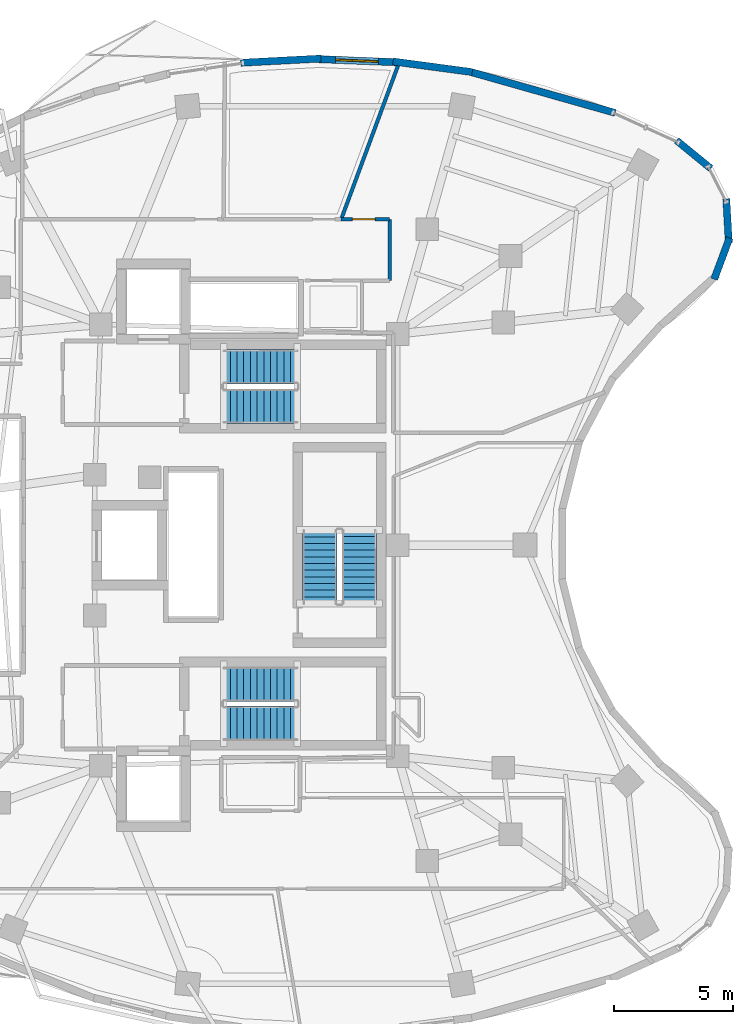
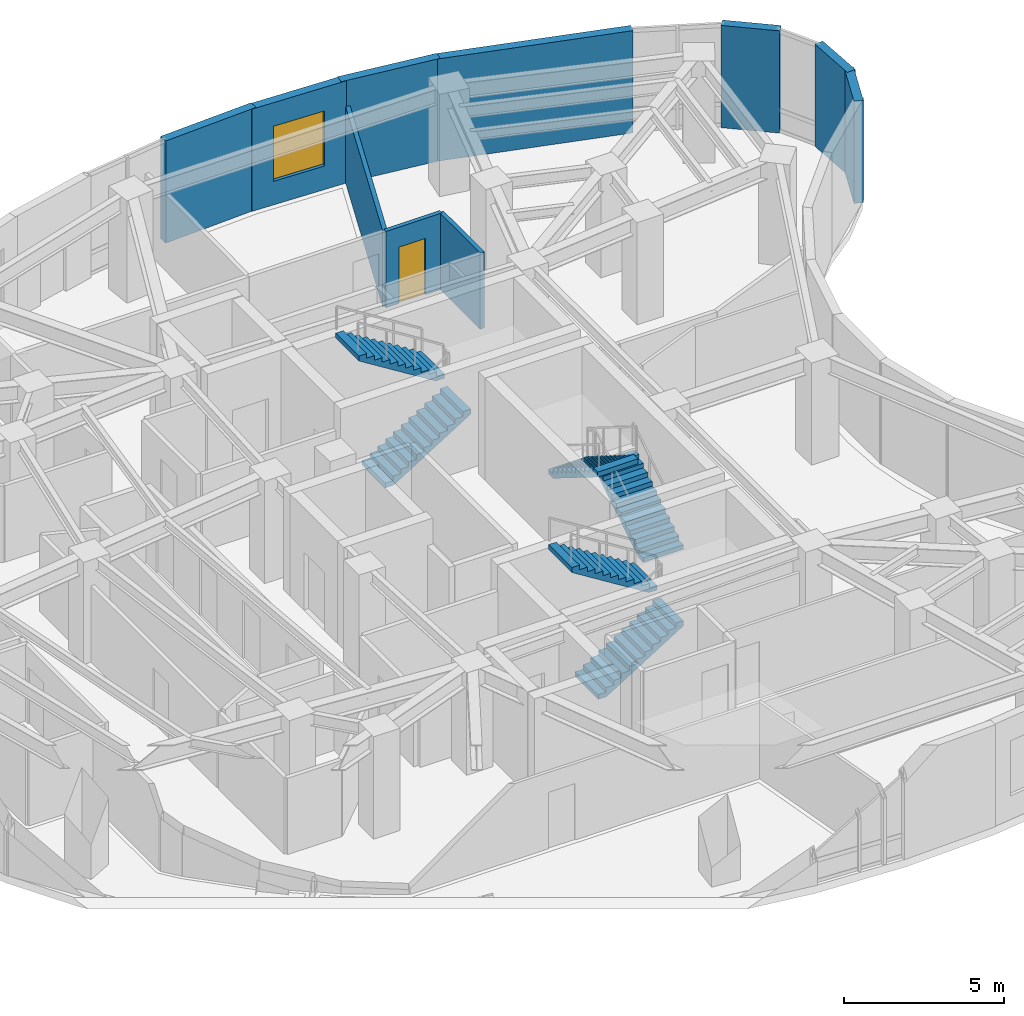
# One storey, part 10 of 13: 10 walls, 6 stair flights, 1 door, 1 window, 2 openings, 3 elements without a shape of their own.
"""IFC4 building model written with IfcOpenShell, lengths in metres."""

import ifcopenshell
import ifcopenshell.guid

model = None  # the IFC model being written
_history = None  # IfcOwnerHistory: only IFC2X3 demands one
_inside = {}  # id of a spatial element -> (the spatial element, [elements in it])
_under = {}  # id of a project, library or spatial element -> (it, [spatial elements below it])
_declared = {}  # id of a project -> (the project, [libraries it declares])
_typed = {}  # id of a type object -> (the type object, [elements of that type])
_made_of = {}  # id of a material, layer set ... -> (it, [elements and type objects made of it])


def new_model(schema):
    """Start an empty IFC model of exactly this schema.

    Asked for "IFC4X3", IfcOpenShell would pick the latest addendum, in which some entities
    have other attributes; the version numbers below select the first issue.
    IFC2X3 requires an IfcOwnerHistory on every rooted entity: one is made here for all.
    """
    global model, _history
    if schema == "IFC4X3":
        model = ifcopenshell.file(schema_version=(4, 3, 0, 0))
    else:
        model = ifcopenshell.file(schema=schema)
    _inside.clear()
    _under.clear()
    _declared.clear()
    _typed.clear()
    _made_of.clear()
    _history = None
    if model.schema == "IFC2X3":
        org = make("IfcOrganization", Name="unknown")
        user = make(
            "IfcPersonAndOrganization",
            ThePerson=make("IfcPerson", FamilyName="unknown"),
            TheOrganization=org,
        )
        app = make(
            "IfcApplication",
            ApplicationDeveloper=org,
            Version="unknown",
            ApplicationFullName="unknown",
            ApplicationIdentifier="unknown",
        )
        _history = make(
            "IfcOwnerHistory",
            OwningUser=user,
            OwningApplication=app,
            ChangeAction="ADDED",
            CreationDate=0,
        )
    return model


def make(cls, **values):
    """One entity of the class cls with the attributes given. An attribute that is None is left unset."""
    return model.create_entity(
        cls, **{name: value for name, value in values.items() if value is not None}
    )


def rooted(cls, **values):
    """An entity with a GlobalId (a new one), such as an element, a storey or a relation."""
    return make(cls, GlobalId=ifcopenshell.guid.new(), OwnerHistory=_history, **values)


def si_unit(unit_type, name, prefix=None):
    """IfcSIUnit, for example si_unit("LENGTHUNIT", "METRE", prefix="MILLI")."""
    return make("IfcSIUnit", UnitType=unit_type, Prefix=prefix, Name=name)


def assignment(units):
    """IfcUnitAssignment: the units of a project."""
    return None if units is None else make("IfcUnitAssignment", Units=units)


def point(xyz):
    """IfcCartesianPoint."""
    return None if xyz is None else make("IfcCartesianPoint", Coordinates=xyz)


def direction(xyz):
    """IfcDirection."""
    return None if xyz is None else make("IfcDirection", DirectionRatios=xyz)


def frame(location, z_axis=None, x_axis=None):
    """IfcAxis2Placement3D, a coordinate frame: its origin and axes. An axis left out is left unset."""
    return make(
        "IfcAxis2Placement3D",
        Location=point(location),
        Axis=direction(z_axis),
        RefDirection=direction(x_axis),
    )


def frame_2d(location, x_axis=None):
    """IfcAxis2Placement2D, a coordinate frame in the plane: its origin and x axis."""
    return make(
        "IfcAxis2Placement2D", Location=point(location), RefDirection=direction(x_axis)
    )


def origin():
    """The frame at (0, 0, 0) with its axes left unset."""
    return frame((0.0, 0.0, 0.0))


def place(relative_to, where):
    """IfcLocalPlacement: puts the frame where relative to a parent placement (None: the world)."""
    return make(
        "IfcLocalPlacement", PlacementRelTo=relative_to, RelativePlacement=where
    )


def context(
    kind, dimensions, precision=None, world=None, true_north=None, identifier=None
):
    """IfcGeometricRepresentationContext, for example the 3D "Model" context."""
    return make(
        "IfcGeometricRepresentationContext",
        ContextIdentifier=identifier,
        ContextType=kind,
        CoordinateSpaceDimension=dimensions,
        Precision=precision,
        WorldCoordinateSystem=world,
        TrueNorth=true_north,
    )


def subcontext(parent, identifier, kind, view, scale=None):
    """IfcGeometricRepresentationSubContext, for example "Body" below "Model"."""
    return make(
        "IfcGeometricRepresentationSubContext",
        ContextIdentifier=identifier,
        ContextType=kind,
        ParentContext=parent,
        TargetScale=scale,
        TargetView=view,
    )


def project(units=None, contexts=None):
    """IfcProject with its units and contexts."""
    return rooted(
        "IfcProject",
        Name="project",
        RepresentationContexts=contexts,
        UnitsInContext=assignment(units),
    )


def spatial(cls, under=None, at=None, **own):
    """A site, building, storey or space (cls), placed at a placement, below another one or the project."""
    s = rooted(cls, ObjectPlacement=at, **own)
    if under is not None:
        _under.setdefault(under.id(), (under, []))[1].append(s)
    return s


def polyline(points):
    """IfcPolyline through the points."""
    return make("IfcPolyline", Points=[point(p) for p in points])


def profile(cls, at=None, kind="AREA", **sizes):
    """A parametric profile (cls). Its sizes go by their IFC names, for example OverallWidth=200.0."""
    return make(cls, ProfileType=kind, Position=at, **sizes)


def rectangle(**sizes):
    """IfcRectangleProfileDef."""
    return profile("IfcRectangleProfileDef", **sizes)


def outline(outer, holes=None, kind="AREA"):
    """IfcArbitraryClosedProfileDef: a profile drawn as a closed curve; with holes, ...WithVoids."""
    if holes is None:
        return make("IfcArbitraryClosedProfileDef", ProfileType=kind, OuterCurve=outer)
    return make(
        "IfcArbitraryProfileDefWithVoids",
        ProfileType=kind,
        OuterCurve=outer,
        InnerCurves=holes,
    )


def extrude(swept, where, along, depth):
    """IfcExtrudedAreaSolid: the profile swept, set in the frame where, extruded along a direction by depth."""
    return make(
        "IfcExtrudedAreaSolid",
        SweptArea=swept,
        Position=where,
        ExtrudedDirection=direction(along),
        Depth=depth,
    )


def shape(context_of_items, identifier, shape_type, items):
    """IfcShapeRepresentation: the items that make up one representation, for example the "Body"."""
    return make(
        "IfcShapeRepresentation",
        ContextOfItems=context_of_items,
        RepresentationIdentifier=identifier,
        RepresentationType=shape_type,
        Items=items,
    )


def material(Name=None, Category=None):
    """IfcMaterial."""
    return make("IfcMaterial", Name=Name, Category=Category)


def layer(
    of_material, thickness, ventilated=None, Name=None, Category=None, Priority=None
):
    """IfcMaterialLayer: one layer of a wall or slab, of a material (None: an air gap)."""
    return make(
        "IfcMaterialLayer",
        Material=of_material,
        LayerThickness=thickness,
        IsVentilated=ventilated,
        Name=Name,
        Category=Category,
        Priority=Priority,
    )


def layer_set(layers, Name=None):
    """IfcMaterialLayerSet."""
    return make("IfcMaterialLayerSet", MaterialLayers=layers, LayerSetName=Name)


def made_of(thing, what):
    """Note that an element or type object is made of a material, layer set ...; save() writes the relation."""
    if what is not None:
        _made_of.setdefault(what.id(), (what, []))[1].append(thing)
    return thing


def type_object(cls, material=None, **own):
    """A type object (cls), such as IfcWallType, which elements share."""
    return made_of(rooted(cls, **own), material)


def element(
    cls,
    number,
    at=None,
    inside=None,
    cuts=None,
    type_object=None,
    material=None,
    context=None,
    identifier="Body",
    shape_type=None,
    held_by="IfcProductDefinitionShape",
    body=None,
    shapes=None,
    **own,
):
    """One element of the class cls, such as IfcWall. Its Tag is "e" and its number.

    at: its placement. inside: the storey or other place that contains it. cuts: it is an
    opening in that element (IfcRelVoidsElement). A single representation is given by context,
    identifier, shape_type and body (its items); several are given by shapes. held_by: the class
    of the entity that holds the representations. save() writes the other relations.
    """
    e = rooted(cls, Tag="e%d" % number, ObjectPlacement=at, **own)
    if body is not None:
        shapes = [shape(context, identifier, shape_type, body)]
    if shapes is not None:
        e.Representation = make(held_by, Representations=shapes)
    if inside is not None:
        _inside.setdefault(inside.id(), (inside, []))[1].append(e)
    if cuts is not None:
        rooted(
            "IfcRelVoidsElement", RelatingBuildingElement=cuts, RelatedOpeningElement=e
        )
    if type_object is not None:
        _typed.setdefault(type_object.id(), (type_object, []))[1].append(e)
    return made_of(e, material)


def fill(opening, filler):
    """IfcRelFillsElement: the door or window that sits in an opening."""
    return rooted(
        "IfcRelFillsElement",
        RelatingOpeningElement=opening,
        RelatedBuildingElement=filler,
    )


def aggregate(whole, parts):
    """IfcRelAggregates: a whole, such as a stair, and the parts it consists of."""
    return rooted("IfcRelAggregates", RelatingObject=whole, RelatedObjects=parts)


def save(model, path):
    """Write the relations noted so far, then the file.

    IfcRelAggregates (storeys below a building ...), IfcRelContainedInSpatialStructure (elements
    in a storey), IfcRelDefinesByType, IfcRelAssociatesMaterial and IfcRelDeclares: one each for
    every whole, place, type object, material and project.
    """
    for whole, parts in _under.values():
        aggregate(whole, parts)
    for where, things in _inside.values():
        rooted(
            "IfcRelContainedInSpatialStructure",
            RelatedElements=things,
            RelatingStructure=where,
        )
    for kind, things in _typed.values():
        rooted("IfcRelDefinesByType", RelatedObjects=things, RelatingType=kind)
    for what, things in _made_of.values():
        rooted("IfcRelAssociatesMaterial", RelatedObjects=things, RelatingMaterial=what)
    for by, libraries in _declared.values():
        rooted("IfcRelDeclares", RelatingContext=by, RelatedDefinitions=libraries)
    model.write(path)


model = new_model("IFC4")

# Units and contexts
model_context = context("Model", 3, precision=1e-05, world=origin(), true_north=direction((0.0, 1.0)))
body_context = subcontext(model_context, "Body", "Model", "MODEL_VIEW")
ifc_project = project(units=[si_unit("LENGTHUNIT", "METRE"), si_unit("AREAUNIT", "SQUARE_METRE"), si_unit("VOLUMEUNIT", "CUBIC_METRE"), si_unit("PLANEANGLEUNIT", "RADIAN"), si_unit("MASSUNIT", "GRAM", prefix="KILO")], contexts=[model_context])

# Site, building, storey
site_placement = place(None, origin())
site = spatial("IfcSite", under=ifc_project, at=site_placement, CompositionType="ELEMENT")
building_placement = place(site_placement, origin())
building = spatial("IfcBuilding", under=site, at=building_placement, Name="Korentha Bioscience Tower", CompositionType="ELEMENT")
storey_placement = place(building_placement, frame((0.0, 0.0, 187.800048828125)))
storey = spatial("IfcBuildingStorey", under=building, at=storey_placement, Name="L43", CompositionType="ELEMENT", Elevation=187.800048828125)

# Wall, opening, door
ifc_material_1 = material(Name="Double-Stud Acoustic Gypsum", Category="gypsum")
ifc_layer_1 = layer(ifc_material_1, 0.14990234375, Name="Double-Stud Acoustic Gypsum")
ifc_layer_set_1 = layer_set([ifc_layer_1], Name="Double-Stud Acoustic Gypsum (IW-L150)")
wall_type_1 = type_object("IfcWallType", Name="Acoustic Laboratory Partition Wall 150", PredefinedType="PARTITIONING", material=ifc_layer_set_1)
wall_1_placement = place(storey_placement, frame((37.199951171875, 40.659912109375, 0.0), z_axis=(0.0, 0.0, 1.0), x_axis=(-1.0, 0.0, 0.0)))
wall_1 = element("IfcWall", 1, at=wall_1_placement, inside=storey, type_object=wall_type_1, Name="L43 Peer-Review Conference Room 06 Entrance Wall", PredefinedType="PARTITIONING", context=body_context, shape_type="SweptSolid", body=[
    extrude(rectangle(XDim=2.0244140625, YDim=0.14990234375, at=frame_2d((1.01220703125, 0.0))), origin(), (0.0, 0.0, 1.0), 2.909912109375),
])
opening_1_placement = place(wall_1_placement, frame((0.6044921875, 0.0, 0.0)))
opening_1 = element("IfcOpeningElement", 2, at=opening_1_placement, cuts=wall_1, Name="Opening ID-10L", PredefinedType="OPENING", context=body_context, shape_type="SweptSolid", body=[
    extrude(rectangle(XDim=0.949951171875, YDim=2.14990234375, at=frame_2d((0.47509765625, 1.074951171875))), frame((0.0, 0.08984375, 0.0), z_axis=(0.0, -1.0, 0.0), x_axis=(1.0, 0.0, 0.0)), (0.0, 0.0, 1.0), 0.1796875),
])
ifc_material_2 = material(Name="Phenolic Laminate Timber Core", Category="wood")
door_type = type_object("IfcDoorType", Name="Laboratory Single Leaf Door 950x2150 Left", OperationType="SINGLE_SWING_LEFT", PredefinedType="DOOR", material=ifc_material_2)
door_placement = place(opening_1_placement, origin())
door = element("IfcDoor", 3, at=door_placement, inside=storey, type_object=door_type, Name="L43 Peer-Review Conference Room 06 Door", OperationType="SINGLE_SWING_LEFT", OverallHeight=2.14990234375, OverallWidth=0.949951171875, PredefinedType="DOOR", context=body_context, shape_type="SweptSolid", body=[
    extrude(rectangle(XDim=0.949951171875, YDim=2.14990234375, at=frame_2d((0.47509765625, 1.074951171875))), frame((0.0, 0.02490234375, 0.0), z_axis=(0.0, -1.0, 0.0), x_axis=(1.0, 0.0, 0.0)), (0.0, 0.0, 1.0), 0.050048828125),
])
fill(opening_1, door)

# Walls
wall_2_placement = place(storey_placement, frame((37.2099609375, 38.10009765625, 0.0), z_axis=(0.0, 0.0, 1.0), x_axis=(0.0, 1.0, 0.0)))
element("IfcWall", 4, at=wall_2_placement, inside=storey, type_object=wall_type_1, Name="L43 Interior Partition 065", PredefinedType="PARTITIONING", context=body_context, shape_type="SweptSolid", body=[
    extrude(rectangle(XDim=2.5498046875, YDim=0.14990234375, at=frame_2d((1.27490234375, 0.0))), origin(), (0.0, 0.0, 1.0), 2.909912109375),
])
wall_3_placement = place(storey_placement, frame((35.175537109375, 40.659912109375, 0.0), z_axis=(0.0, 0.0, 1.0), x_axis=(0.346944137663, 0.937885795468, 0.0)))
element("IfcWall", 5, at=wall_3_placement, inside=storey, type_object=wall_type_1, Name="L43 Interior Partition 066", PredefinedType="PARTITIONING", context=body_context, shape_type="SweptSolid", body=[
    extrude(rectangle(XDim=7.131103515625, YDim=0.14990234375, at=frame_2d((3.5654296875, 0.0))), origin(), (0.0, 0.0, 1.0), 2.909912109375),
])

# Wall, opening, window
ifc_material_3 = material(Name="Honed Limestone Precast Concrete C40", Category="masonry")
ifc_layer_2 = layer(ifc_material_3, 0.300048828125, Name="Honed Limestone Precast Concrete C40")
ifc_layer_set_2 = layer_set([ifc_layer_2], Name="Honed Limestone Precast Concrete C40 (EW-ST300)")
wall_type_2 = type_object("IfcWallType", Name="Honed Limestone Cavity Spandrel Wall 300", PredefinedType="STANDARD", material=ifc_layer_set_2)
wall_4_placement = place(storey_placement, frame((37.499755859375, 47.239990234375, 0.0), z_axis=(0.0, 0.0, 1.0), x_axis=(-0.999191674443, 0.040199474165, 0.0)))
wall_4 = element("IfcWall", 6, at=wall_4_placement, inside=storey, type_object=wall_type_2, Name="L43 Honed Limestone Spandrel Wall 05", PredefinedType="STANDARD", context=body_context, shape_type="SweptSolid", body=[
    extrude(rectangle(XDim=3.328125, YDim=0.300048828125, at=frame_2d((1.6640625, 0.0))), origin(), (0.0, 0.0, 1.0), 3.89990234375),
])
opening_2_placement = place(wall_4_placement, frame((0.763916015625, 0.0, 0.89990234375)))
opening_2 = element("IfcOpeningElement", 7, at=opening_2_placement, cuts=wall_4, Name="Opening WN-01", PredefinedType="OPENING", context=body_context, shape_type="SweptSolid", body=[
    extrude(rectangle(XDim=1.800048828125, YDim=2.10009765625, at=frame_2d((0.89990234375, 1.050048828125))), frame((0.0, 0.1650390625, 0.0), z_axis=(0.0, -1.0, 0.0), x_axis=(1.0, 0.0, 0.0)), (0.0, 0.0, 1.0), 0.329833984375),
])
ifc_material_4 = material(Name="Thermally Broken Aluminium Triple Glazing", Category="aluminium")
window_type = type_object("IfcWindowType", Name="Triple-Glazed Fixed Bioscience Window 1800x2100", PartitioningType="SINGLE_PANEL", PredefinedType="WINDOW", material=ifc_material_4)
window_placement = place(opening_2_placement, origin())
window = element("IfcWindow", 8, at=window_placement, inside=storey, type_object=window_type, Name="L43 Facade Window 05", OverallHeight=2.10009765625, OverallWidth=1.800048828125, PartitioningType="SINGLE_PANEL", PredefinedType="WINDOW", context=body_context, shape_type="SweptSolid", body=[
    extrude(rectangle(XDim=1.800048828125, YDim=2.10009765625, at=frame_2d((0.89990234375, 1.050048828125))), frame((0.0, 0.030029296875, 0.0), z_axis=(0.0, -1.0, 0.0), x_axis=(1.0, 0.0, 0.0)), (0.0, 0.0, 1.0), 0.06005859375),
])
fill(opening_2, window)

# Walls
wall_5_placement = place(storey_placement, frame((46.659912109375, 45.119384765625, 0.0), z_axis=(0.0, 0.0, 1.0), x_axis=(-0.962163849422, 0.272471515694, 0.0)))
element("IfcWall", 9, at=wall_5_placement, inside=storey, type_object=wall_type_2, Name="L43 Limestone Perimeter Closure Wall 02", PredefinedType="STANDARD", context=body_context, shape_type="SweptSolid", body=[
    extrude(rectangle(XDim=6.4091796875, YDim=0.300048828125, at=frame_2d((3.20458984375, 0.0))), origin(), (0.0, 0.0, 1.0), 3.89990234375),
])
wall_6_placement = place(storey_placement, frame((40.6689453125, 46.8291015625, 0.0), z_axis=(0.0, 0.0, 1.0), x_axis=(-0.991137940717, 0.132836675925, 0.0)))
element("IfcWall", 10, at=wall_6_placement, inside=storey, type_object=wall_type_2, Name="L43 Limestone Perimeter Closure Wall 04", PredefinedType="STANDARD", context=body_context, shape_type="SweptSolid", body=[
    extrude(rectangle(XDim=3.3505859375, YDim=0.300048828125, at=frame_2d((1.67529296875, 0.0))), origin(), (0.0, 0.0, 1.0), 3.89990234375),
])
wall_7_placement = place(storey_placement, frame((34.327880859375, 47.395751953125, 0.0), z_axis=(0.0, 0.0, 1.0), x_axis=(-0.998639777298, -0.052140149581, 0.0)))
element("IfcWall", 11, at=wall_7_placement, inside=storey, type_object=wall_type_2, Name="L43 Limestone Perimeter Closure Wall 06", PredefinedType="STANDARD", context=body_context, shape_type="SweptSolid", body=[
    extrude(rectangle(XDim=3.36669921875, YDim=0.300048828125, at=frame_2d((1.683349609375, 0.0))), origin(), (0.0, 0.0, 1.0), 3.89990234375),
])
for number, where, z_axis, x_axis, name in (
    (12, (50.811279296875, 38.143310546875, 0.0), (0.0, 0.0, 1.0), (0.348984166898, 0.937128620443, 0.0), "L43 Limestone Perimeter Closure Wall 59"),
    (13, (51.425537109375, 39.6669921875, 0.0), (0.0, 0.0, 1.0), (-0.057485341891, 0.998346350455, 0.0), "L43 Limestone Perimeter Closure Wall 60"),
    (14, (50.668212890625, 42.7919921875, 0.0), (0.0, 0.0, 1.0), (-0.774174596654, 0.632972111467, 0.0), "L43 Limestone Perimeter Closure Wall 62"),
):
    element("IfcWall", number, at=place(storey_placement, frame(where, z_axis=z_axis, x_axis=x_axis)), inside=storey, type_object=wall_type_2, Name=name, PredefinedType="STANDARD", context=body_context, shape_type="SweptSolid", body=[
        extrude(rectangle(XDim=1.851806640625, YDim=0.300048828125, at=frame_2d((0.92578125, 0.0))), origin(), (0.0, 0.0, 1.0), 3.89990234375),
    ])

# Stair, stair flights
ifc_material_5 = material(Name="Precast Concrete C50", Category="concrete")
stair_type = type_object("IfcStairType", Name="Core Exit Dog-Leg Stair 1450", PredefinedType="HALF_TURN_STAIR", material=ifc_material_5)
stair_1_placement = place(storey_placement, origin())
stair_1 = element("IfcStair", 15, at=stair_1_placement, inside=storey, type_object=stair_type, Name="L43 Tower North Pressurized Exit Stair ST-1", PredefinedType="HALF_TURN_STAIR")
stair_flight_type = type_object("IfcStairFlightType", Name="Core Exit Dog-Leg Stair 1450 Flight", PredefinedType="STRAIGHT", material=ifc_material_5)
stair_flight_1_placement = place(storey_placement, frame((30.25, 32.824951171875, 0.0), z_axis=(0.0, 0.0, 1.0), x_axis=(1.0, 0.0, 0.0)))
stair_flight_1 = element("IfcStairFlight", 16, at=stair_flight_1_placement, type_object=stair_flight_type, Name="ST-1 flight 1", NumberOfRisers=12, NumberOfTreads=11, PredefinedType="STRAIGHT", RiserHeight=0.175, TreadLength=0.28, context=body_context, shape_type="SweptSolid", body=[
    extrude(outline(polyline([(0.0, 0.0), (0.0, 0.175048828125), (0.280029296875, 0.175048828125), (0.280029296875, 0.35009765625), (0.56005859375, 0.35009765625), (0.56005859375, 0.52490234375), (0.840087890625, 0.52490234375), (0.840087890625, 0.699951171875), (1.1201171875, 0.699951171875), (1.1201171875, 0.875), (1.39990234375, 0.875), (1.39990234375, 1.050048828125), (1.679931640625, 1.050048828125), (1.679931640625, 1.22509765625), (1.9599609375, 1.22509765625), (1.9599609375, 1.39990234375), (2.239990234375, 1.39990234375), (2.239990234375, 1.574951171875), (2.52001953125, 1.574951171875), (2.52001953125, 1.75), (2.800048828125, 1.75), (2.800048828125, 1.925048828125), (3.080078125, 1.925048828125), (3.080078125, 2.10009765625), (3.080078125, 1.736328125), (0.3017578125, 0.0), (0.0, 0.0)])), frame((0.0, 0.72509765625, 0.0), z_axis=(0.0, -1.0, 0.0), x_axis=(1.0, 0.0, 0.0)), (0.0, 0.0, 1.0), 1.449951171875),
])
stair_flight_2_placement = place(storey_placement, frame((33.330078125, 34.47509765625, 2.099853515625), z_axis=(0.0, 0.0, 1.0), x_axis=(-1.0, 0.0, 0.0)))
stair_flight_2 = element("IfcStairFlight", 17, at=stair_flight_2_placement, type_object=stair_flight_type, Name="ST-1 flight 2", NumberOfRisers=12, NumberOfTreads=11, PredefinedType="STRAIGHT", RiserHeight=0.175, TreadLength=0.28, context=body_context, shape_type="SweptSolid", body=[
    extrude(outline(polyline([(0.0, 0.0), (0.0, 0.175048828125), (0.280029296875, 0.175048828125), (0.280029296875, 0.35009765625), (0.56005859375, 0.35009765625), (0.56005859375, 0.52490234375), (0.840087890625, 0.52490234375), (0.840087890625, 0.699951171875), (1.1201171875, 0.699951171875), (1.1201171875, 0.875), (1.39990234375, 0.875), (1.39990234375, 1.050048828125), (1.679931640625, 1.050048828125), (1.679931640625, 1.22509765625), (1.9599609375, 1.22509765625), (1.9599609375, 1.39990234375), (2.239990234375, 1.39990234375), (2.239990234375, 1.574951171875), (2.52001953125, 1.574951171875), (2.52001953125, 1.75), (2.800048828125, 1.75), (2.800048828125, 1.925048828125), (3.080078125, 1.925048828125), (3.080078125, 2.10009765625), (3.080078125, 1.736328125), (0.3017578125, 0.0), (0.0, 0.0)])), frame((0.0, 0.72509765625, 0.0), z_axis=(0.0, -1.0, 0.0), x_axis=(1.0, 0.0, 0.0)), (0.0, 0.0, 1.0), 1.449951171875),
])
aggregate(stair_1, [stair_flight_1, stair_flight_2])

stair_2_placement = place(storey_placement, origin())
stair_2 = element("IfcStair", 18, at=stair_2_placement, inside=storey, type_object=stair_type, Name="L43 Tower South Pressurized Exit Stair ST-2", PredefinedType="HALF_TURN_STAIR")
stair_flight_3_placement = place(storey_placement, frame((30.25, 19.52490234375, 0.0), z_axis=(0.0, 0.0, 1.0), x_axis=(1.0, 0.0, 0.0)))
stair_flight_3 = element("IfcStairFlight", 19, at=stair_flight_3_placement, type_object=stair_flight_type, Name="ST-2 flight 1", NumberOfRisers=12, NumberOfTreads=11, PredefinedType="STRAIGHT", RiserHeight=0.175, TreadLength=0.28, context=body_context, shape_type="SweptSolid", body=[
    extrude(outline(polyline([(0.0, 0.0), (0.0, 0.175048828125), (0.280029296875, 0.175048828125), (0.280029296875, 0.35009765625), (0.56005859375, 0.35009765625), (0.56005859375, 0.52490234375), (0.840087890625, 0.52490234375), (0.840087890625, 0.699951171875), (1.1201171875, 0.699951171875), (1.1201171875, 0.875), (1.39990234375, 0.875), (1.39990234375, 1.050048828125), (1.679931640625, 1.050048828125), (1.679931640625, 1.22509765625), (1.9599609375, 1.22509765625), (1.9599609375, 1.39990234375), (2.239990234375, 1.39990234375), (2.239990234375, 1.574951171875), (2.52001953125, 1.574951171875), (2.52001953125, 1.75), (2.800048828125, 1.75), (2.800048828125, 1.925048828125), (3.080078125, 1.925048828125), (3.080078125, 2.10009765625), (3.080078125, 1.736328125), (0.3017578125, 0.0), (0.0, 0.0)])), frame((0.0, 0.72509765625, 0.0), z_axis=(0.0, -1.0, 0.0), x_axis=(1.0, 0.0, 0.0)), (0.0, 0.0, 1.0), 1.449951171875),
])
stair_flight_4_placement = place(storey_placement, frame((33.330078125, 21.175048828125, 2.099853515625), z_axis=(0.0, 0.0, 1.0), x_axis=(-1.0, 0.0, 0.0)))
stair_flight_4 = element("IfcStairFlight", 20, at=stair_flight_4_placement, type_object=stair_flight_type, Name="ST-2 flight 2", NumberOfRisers=12, NumberOfTreads=11, PredefinedType="STRAIGHT", RiserHeight=0.175, TreadLength=0.28, context=body_context, shape_type="SweptSolid", body=[
    extrude(outline(polyline([(0.0, 0.0), (0.0, 0.175048828125), (0.280029296875, 0.175048828125), (0.280029296875, 0.35009765625), (0.56005859375, 0.35009765625), (0.56005859375, 0.52490234375), (0.840087890625, 0.52490234375), (0.840087890625, 0.699951171875), (1.1201171875, 0.699951171875), (1.1201171875, 0.875), (1.39990234375, 0.875), (1.39990234375, 1.050048828125), (1.679931640625, 1.050048828125), (1.679931640625, 1.22509765625), (1.9599609375, 1.22509765625), (1.9599609375, 1.39990234375), (2.239990234375, 1.39990234375), (2.239990234375, 1.574951171875), (2.52001953125, 1.574951171875), (2.52001953125, 1.75), (2.800048828125, 1.75), (2.800048828125, 1.925048828125), (3.080078125, 1.925048828125), (3.080078125, 2.10009765625), (3.080078125, 1.736328125), (0.3017578125, 0.0), (0.0, 0.0)])), frame((0.0, 0.72509765625, 0.0), z_axis=(0.0, -1.0, 0.0), x_axis=(1.0, 0.0, 0.0)), (0.0, 0.0, 1.0), 1.449951171875),
])
aggregate(stair_2, [stair_flight_3, stair_flight_4])

stair_3_placement = place(storey_placement, origin())
stair_3 = element("IfcStair", 21, at=stair_3_placement, inside=storey, type_object=stair_type, Name="L43 Tower Central Pressurized Exit Stair ST-3", PredefinedType="HALF_TURN_STAIR")
stair_flight_5_placement = place(storey_placement, frame((35.925048828125, 24.550048828125, 0.0), z_axis=(0.0, 0.0, 1.0), x_axis=(0.0, 1.0, 0.0)))
stair_flight_5 = element("IfcStairFlight", 22, at=stair_flight_5_placement, type_object=stair_flight_type, Name="ST-3 flight 1", NumberOfRisers=12, NumberOfTreads=11, PredefinedType="STRAIGHT", RiserHeight=0.175, TreadLength=0.28, context=body_context, shape_type="SweptSolid", body=[
    extrude(outline(polyline([(0.0, 0.0), (0.0, 0.175048828125), (0.280029296875, 0.175048828125), (0.280029296875, 0.35009765625), (0.56005859375, 0.35009765625), (0.56005859375, 0.52490234375), (0.840087890625, 0.52490234375), (0.840087890625, 0.699951171875), (1.1201171875, 0.699951171875), (1.1201171875, 0.875), (1.39990234375, 0.875), (1.39990234375, 1.050048828125), (1.679931640625, 1.050048828125), (1.679931640625, 1.22509765625), (1.9599609375, 1.22509765625), (1.9599609375, 1.39990234375), (2.239990234375, 1.39990234375), (2.239990234375, 1.574951171875), (2.52001953125, 1.574951171875), (2.52001953125, 1.75), (2.800048828125, 1.75), (2.800048828125, 1.925048828125), (3.080078125, 1.925048828125), (3.080078125, 2.10009765625), (3.080078125, 1.736328125), (0.3017578125, 0.0), (0.0, 0.0)])), frame((0.0, 0.72509765625, 0.0), z_axis=(0.0, -1.0, 0.0), x_axis=(1.0, 0.0, 0.0)), (0.0, 0.0, 1.0), 1.449951171875),
])
stair_flight_6_placement = place(storey_placement, frame((34.27490234375, 27.6298828125, 2.099853515625), z_axis=(0.0, 0.0, 1.0), x_axis=(0.0, -1.0, 0.0)))
stair_flight_6 = element("IfcStairFlight", 23, at=stair_flight_6_placement, type_object=stair_flight_type, Name="ST-3 flight 2", NumberOfRisers=12, NumberOfTreads=11, PredefinedType="STRAIGHT", RiserHeight=0.175, TreadLength=0.28, context=body_context, shape_type="SweptSolid", body=[
    extrude(outline(polyline([(0.0, 0.0), (0.0, 0.175048828125), (0.280029296875, 0.175048828125), (0.280029296875, 0.35009765625), (0.56005859375, 0.35009765625), (0.56005859375, 0.52490234375), (0.840087890625, 0.52490234375), (0.840087890625, 0.699951171875), (1.1201171875, 0.699951171875), (1.1201171875, 0.875), (1.39990234375, 0.875), (1.39990234375, 1.050048828125), (1.679931640625, 1.050048828125), (1.679931640625, 1.22509765625), (1.9599609375, 1.22509765625), (1.9599609375, 1.39990234375), (2.239990234375, 1.39990234375), (2.239990234375, 1.574951171875), (2.52001953125, 1.574951171875), (2.52001953125, 1.75), (2.800048828125, 1.75), (2.800048828125, 1.925048828125), (3.080078125, 1.925048828125), (3.080078125, 2.10009765625), (3.080078125, 1.736328125), (0.3017578125, 0.0), (0.0, 0.0)])), frame((0.0, 0.72509765625, 0.0), z_axis=(0.0, -1.0, 0.0), x_axis=(1.0, 0.0, 0.0)), (0.0, 0.0, 1.0), 1.449951171875),
])
aggregate(stair_3, [stair_flight_5, stair_flight_6])

save(model, "model.ifc")
